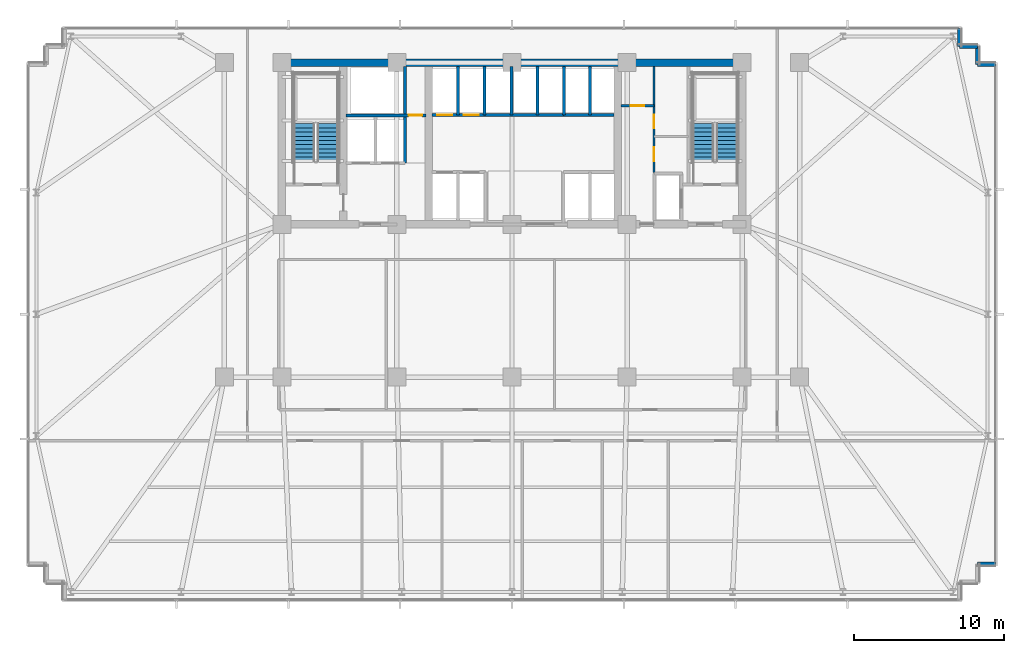
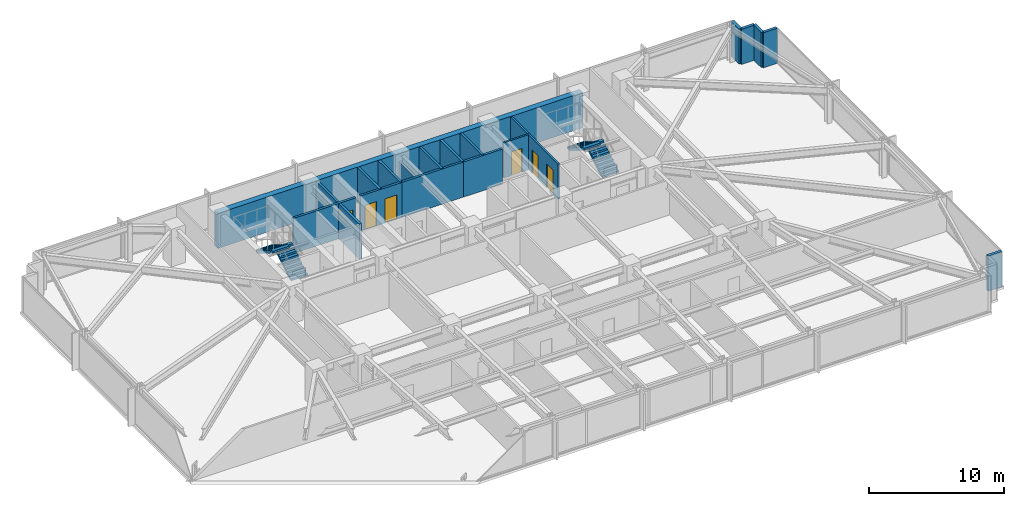
# One storey, part 26 of 33: 19 walls, 6 doors, 4 stair flights, 6 openings, 2 elements without a shape of their own.
"""IFC4 building model written with IfcOpenShell, lengths in metres."""

from ifc_helpers import new_model, si_unit, direction, frame, frame_2d, origin, place, context, subcontext, project, spatial, polyline, rectangle, outline, extrude, material, layer, layer_set, type_object, element, fill, aggregate, save


model = new_model("IFC4")

# Units and contexts
model_context = context("Model", 3, precision=1e-05, world=origin(), true_north=direction((0.0, 1.0)))
body_context = subcontext(model_context, "Body", "Model", "MODEL_VIEW")
ifc_project = project(units=[si_unit("LENGTHUNIT", "METRE"), si_unit("AREAUNIT", "SQUARE_METRE"), si_unit("VOLUMEUNIT", "CUBIC_METRE"), si_unit("PLANEANGLEUNIT", "RADIAN"), si_unit("MASSUNIT", "GRAM", prefix="KILO")], contexts=[model_context])

# Site, building, storey
site_placement = place(None, origin())
site = spatial("IfcSite", under=ifc_project, at=site_placement, CompositionType="ELEMENT")
building_placement = place(site_placement, origin())
building = spatial("IfcBuilding", under=site, at=building_placement, Name="Yelkora Congress Tower", CompositionType="ELEMENT")
storey_placement = place(building_placement, frame((0.0, 0.0, 37.199951171875)))
storey = spatial("IfcBuildingStorey", under=building, at=storey_placement, Name="L08", CompositionType="ELEMENT", Elevation=37.199951171875)

# Walls
ifc_material_1 = material(Name="Concrete C60/75", Category="concrete")
ifc_layer_1 = layer(ifc_material_1, 0.5)
ifc_layer_set_1 = layer_set([ifc_layer_1], Name="Concrete C60/75")
wall_type_1 = type_object("IfcWallType", Name="WALL-CORE-INT-500", PredefinedType="SHEAR", material=ifc_layer_set_1)
wall_1_placement = place(storey_placement, frame((22.7900390625, 46.199951171875, 0.0), z_axis=(0.0, 0.0, 1.0), x_axis=(1.0, 0.0, 0.0)))
element("IfcWall", 1, at=wall_1_placement, inside=storey, type_object=wall_type_1, Name="L08 Rear Core North Shear Wall", PredefinedType="SHEAR", context=body_context, shape_type="SweptSolid", body=[
    extrude(rectangle(XDim=31.219970703125, YDim=0.5, at=frame_2d((15.60986328125, 0.0))), origin(), (0.0, 0.0, 1.0), 3.179931640625),
])
ifc_material_2 = material(Name="Concrete C40/50", Category="concrete")
ifc_layer_2 = layer(ifc_material_2, 0.239990234375)
ifc_layer_set_2 = layer_set([ifc_layer_2], Name="Concrete C40/50")
wall_type_2 = type_object("IfcWallType", Name="WALL-EXT-LIMESTONE-240", PredefinedType="SOLIDWALL", material=ifc_layer_set_2)
for number, where, z_axis, x_axis, name in (
    (2, (68.260009765625, 48.4599609375, 0.0), (0.0, 0.0, 1.0), (0.0, -1.0, 0.0), "L08 Serrated Corner Limestone Pier 11"),
    (3, (68.260009765625, 47.260009765625, 0.0), (0.0, 0.0, 1.0), (1.0, 0.0, 0.0), "L08 Serrated Corner Limestone Pier 12"),
    (4, (69.4599609375, 47.260009765625, 0.0), (0.0, 0.0, 1.0), (0.0, -1.0, 0.0), "L08 Serrated Corner Limestone Pier 13"),
    (5, (69.4599609375, 46.06005859375, 0.0), (0.0, 0.0, 1.0), (1.0, 0.0, 0.0), "L08 Serrated Corner Limestone Pier 14"),
    (6, (70.659912109375, 12.739990234375, 0.0), (0.0, 0.0, 1.0), (-1.0, 0.0, 0.0), "L08 Serrated Corner Limestone Pier 16"),
):
    element("IfcWall", number, at=place(storey_placement, frame(where, z_axis=z_axis, x_axis=x_axis)), inside=storey, type_object=wall_type_2, Name=name, PredefinedType="SOLIDWALL", context=body_context, shape_type="SweptSolid", body=[
        extrude(rectangle(XDim=1.199951171875, YDim=0.239990234375, at=frame_2d((0.60009765625, 0.0))), origin(), (0.0, 0.0, 1.0), 3.179931640625),
    ])

# Wall, opening, door
ifc_material_3 = material(Name="Acoustic metal-stud gypsum partition", Category="gypsum")
ifc_layer_3 = layer(ifc_material_3, 0.14990234375)
ifc_layer_set_3 = layer_set([ifc_layer_3], Name="Acoustic metal-stud gypsum partition")
wall_type_3 = type_object("IfcWallType", Name="WALL-INT-150-NR", PredefinedType="PARTITIONING", material=ifc_layer_set_3)
wall_2_placement = place(storey_placement, frame((45.679931640625, 43.31005859375, 0.0), z_axis=(0.0, 0.0, 1.0), x_axis=(1.0, 0.0, 0.0)))
wall_2 = element("IfcWall", 7, at=wall_2_placement, inside=storey, type_object=wall_type_3, Name="L08 Partition Wall 28", PredefinedType="PARTITIONING", context=body_context, shape_type="SweptSolid", body=[
    extrude(rectangle(XDim=2.199951171875, YDim=0.14990234375, at=frame_2d((1.10009765625, 0.0))), origin(), (0.0, 0.0, 1.0), 3.179931640625),
])
opening_1_placement = place(wall_2_placement, frame((0.64990234375, 0.0, 0.0)))
opening_1 = element("IfcOpeningElement", 8, at=opening_1_placement, cuts=wall_2, Name="Opening DR-090N", PredefinedType="OPENING", context=body_context, shape_type="SweptSolid", body=[
    extrude(rectangle(XDim=0.89990234375, YDim=2.14990234375, at=frame_2d((0.449951171875, 1.074951171875))), frame((0.0, 0.0849609375, 0.0), z_axis=(0.0, -1.0, 0.0), x_axis=(1.0, 0.0, 0.0)), (0.0, 0.0, 1.0), 0.169921875),
])
ifc_material_4 = material(Name="Moisture-resistant laminate door leaf", Category="wood")
door_type_1 = type_object("IfcDoorType", Name="DOOR-INT-900", OperationType="NOTDEFINED", PredefinedType="DOOR", material=ifc_material_4)
door_1_placement = place(opening_1_placement, origin())
door_1 = element("IfcDoor", 9, at=door_1_placement, inside=storey, type_object=door_type_1, Name="L08 Male WC Door", OperationType="SINGLE_SWING_RIGHT", OverallHeight=2.14990234375, OverallWidth=0.89990234375, PredefinedType="DOOR", context=body_context, shape_type="SweptSolid", body=[
    extrude(rectangle(XDim=0.89990234375, YDim=2.14990234375, at=frame_2d((0.449951171875, 1.074951171875))), frame((0.0, 0.02490234375, 0.0), z_axis=(0.0, -1.0, 0.0), x_axis=(1.0, 0.0, 0.0)), (0.0, 0.0, 1.0), 0.050048828125),
])
fill(opening_1, door_1)

# Wall, openings, doors
wall_3_placement = place(storey_placement, frame((47.8798828125, 38.85009765625, 0.0), z_axis=(0.0, 0.0, 1.0), x_axis=(0.0, 1.0, 0.0)))
wall_3 = element("IfcWall", 10, at=wall_3_placement, inside=storey, type_object=wall_type_3, Name="L08 Partition Wall 30", PredefinedType="PARTITIONING", context=body_context, shape_type="SweptSolid", body=[
    extrude(rectangle(XDim=7.06982421875, YDim=0.14990234375, at=frame_2d((3.534912109375, 0.0))), origin(), (0.0, 0.0, 1.0), 3.179931640625),
])
opening_2_placement = place(wall_3_placement, frame((0.75, 0.0, 0.0)))
opening_2 = element("IfcOpeningElement", 11, at=opening_2_placement, cuts=wall_3, Name="Opening DR-095N", PredefinedType="OPENING", context=body_context, shape_type="SweptSolid", body=[
    extrude(rectangle(XDim=0.949951171875, YDim=2.14990234375, at=frame_2d((0.47509765625, 1.074951171875))), frame((0.0, 0.0849609375, 0.0), z_axis=(0.0, -1.0, 0.0), x_axis=(1.0, 0.0, 0.0)), (0.0, 0.0, 1.0), 0.169921875),
])
opening_3_placement = place(wall_3_placement, frame((2.949951171875, 0.0, 0.0)))
opening_3 = element("IfcOpeningElement", 12, at=opening_3_placement, cuts=wall_3, Name="Opening DR-090N", PredefinedType="OPENING", context=body_context, shape_type="SweptSolid", body=[
    extrude(rectangle(XDim=0.89990234375, YDim=2.14990234375, at=frame_2d((0.449951171875, 1.074951171875))), frame((0.0, 0.0849609375, 0.0), z_axis=(0.0, -1.0, 0.0), x_axis=(1.0, 0.0, 0.0)), (0.0, 0.0, 1.0), 0.169921875),
])
door_2_placement = place(opening_3_placement, origin())
door_2 = element("IfcDoor", 13, at=door_2_placement, inside=storey, type_object=door_type_1, Name="L08 Female WC Door", OperationType="SINGLE_SWING_RIGHT", OverallHeight=2.14990234375, OverallWidth=0.89990234375, PredefinedType="DOOR", context=body_context, shape_type="SweptSolid", body=[
    extrude(rectangle(XDim=0.89990234375, YDim=2.14990234375, at=frame_2d((0.449951171875, 1.074951171875))), frame((0.0, 0.02490234375, 0.0), z_axis=(0.0, -1.0, 0.0), x_axis=(1.0, 0.0, 0.0)), (0.0, 0.0, 1.0), 0.050048828125),
])
fill(opening_3, door_2)
ifc_material_5 = material(Name="Acoustic laminated timber office door", Category="wood")
door_type_2 = type_object("IfcDoorType", Name="DOOR-INT-950", OperationType="NOTDEFINED", PredefinedType="DOOR", material=ifc_material_5)
door_3_placement = place(opening_2_placement, origin())
door_3 = element("IfcDoor", 14, at=door_3_placement, inside=storey, type_object=door_type_2, Name="L08 Accessible WC Door", OperationType="SINGLE_SWING_LEFT", OverallHeight=2.14990234375, OverallWidth=0.949951171875, PredefinedType="DOOR", context=body_context, shape_type="SweptSolid", body=[
    extrude(rectangle(XDim=0.949951171875, YDim=2.14990234375, at=frame_2d((0.47509765625, 1.074951171875))), frame((0.0, 0.02490234375, 0.0), z_axis=(0.0, -1.0, 0.0), x_axis=(1.0, 0.0, 0.0)), (0.0, 0.0, 1.0), 0.050048828125),
])
fill(opening_2, door_3)

# Wall
ifc_material_6 = material(Name="Autoclaved aerated concrete blockwork", Category="masonry")
ifc_layer_4 = layer(ifc_material_6, 0.199951171875)
ifc_layer_set_4 = layer_set([ifc_layer_4], Name="Autoclaved aerated concrete blockwork")
wall_type_4 = type_object("IfcWallType", Name="WALL-INT-200-R120", PredefinedType="PARTITIONING", material=ifc_layer_set_4)
wall_4_placement = place(storey_placement, frame((31.260009765625, 39.47998046875, 0.0), z_axis=(0.0, 0.0, 1.0), x_axis=(0.0, 1.0, 0.0)))
element("IfcWall", 15, at=wall_4_placement, inside=storey, type_object=wall_type_4, Name="L08 Partition Wall 5", PredefinedType="PARTITIONING", context=body_context, shape_type="SweptSolid", body=[
    extrude(rectangle(XDim=6.43994140625, YDim=0.199951171875, at=frame_2d((3.219970703125, 0.0))), origin(), (0.0, 0.0, 1.0), 3.179931640625),
])

# Wall, opening, door
wall_5_placement = place(storey_placement, frame((27.320068359375, 42.679931640625, 0.0), z_axis=(0.0, 0.0, 1.0), x_axis=(1.0, 0.0, 0.0)))
wall_5 = element("IfcWall", 16, at=wall_5_placement, inside=storey, type_object=wall_type_4, Name="L08 Smoke Riser South Wall", PredefinedType="PARTITIONING", context=body_context, shape_type="SweptSolid", body=[
    extrude(rectangle(XDim=5.329833984375, YDim=0.199951171875, at=frame_2d((2.6650390625, 0.0))), origin(), (0.0, 0.0, 1.0), 3.179931640625),
])
opening_4_placement = place(wall_5_placement, frame((4.179931640625, 0.0, 0.0)))
opening_4 = element("IfcOpeningElement", 17, at=opening_4_placement, cuts=wall_5, Name="Opening DR-090F6", PredefinedType="OPENING", context=body_context, shape_type="SweptSolid", body=[
    extrude(rectangle(XDim=0.89990234375, YDim=2.14990234375, at=frame_2d((0.449951171875, 1.074951171875))), frame((0.0, 0.10986328125, 0.0), z_axis=(0.0, -1.0, 0.0), x_axis=(1.0, 0.0, 0.0)), (0.0, 0.0, 1.0), 0.219970703125),
])
ifc_material_7 = material(Name="Painted steel riser fire door leaf", Category="steel")
door_type_3 = type_object("IfcDoorType", Name="DOOR-FD60-900", OperationType="NOTDEFINED", PredefinedType="DOOR", material=ifc_material_7)
door_4_placement = place(opening_4_placement, origin())
door_4 = element("IfcDoor", 18, at=door_4_placement, inside=storey, type_object=door_type_3, Name="L08 Riser Access Door", OperationType="SINGLE_SWING_LEFT", OverallHeight=2.14990234375, OverallWidth=0.89990234375, PredefinedType="DOOR", context=body_context, shape_type="SweptSolid", body=[
    extrude(rectangle(XDim=0.89990234375, YDim=2.14990234375, at=frame_2d((0.449951171875, 1.074951171875))), frame((0.0, 0.02490234375, 0.0), z_axis=(0.0, -1.0, 0.0), x_axis=(1.0, 0.0, 0.0)), (0.0, 0.0, 1.0), 0.050048828125),
])
fill(opening_4, door_4)

# Walls
wall_6_placement = place(storey_placement, frame((36.60009765625, 42.699951171875, 0.0), z_axis=(0.0, 0.0, 1.0), x_axis=(1.0, 0.0, 0.0)))
element("IfcWall", 19, at=wall_6_placement, inside=storey, type_object=wall_type_4, Name="L08 Partition Wall 8", PredefinedType="PARTITIONING", context=body_context, shape_type="SweptSolid", body=[
    extrude(rectangle(XDim=5.25, YDim=0.199951171875, at=frame_2d((2.625, 0.0))), origin(), (0.0, 0.0, 1.0), 3.179931640625),
])
wall_7_placement = place(storey_placement, frame((38.35009765625, 42.699951171875, 0.0), z_axis=(0.0, 0.0, 1.0), x_axis=(0.0, 1.0, 0.0)))
element("IfcWall", 20, at=wall_7_placement, inside=storey, type_object=wall_type_4, Name="L08 Partition Wall 9", PredefinedType="PARTITIONING", context=body_context, shape_type="SweptSolid", body=[
    extrude(rectangle(XDim=3.219970703125, YDim=0.199951171875, at=frame_2d((1.60986328125, 0.0))), origin(), (0.0, 0.0, 1.0), 2.47509765625),
])
wall_8_placement = place(storey_placement, frame((40.10009765625, 42.699951171875, 0.0), z_axis=(0.0, 0.0, 1.0), x_axis=(0.0, 1.0, 0.0)))
element("IfcWall", 21, at=wall_8_placement, inside=storey, type_object=wall_type_4, Name="L08 Partition Wall 10", PredefinedType="PARTITIONING", context=body_context, shape_type="SweptSolid", body=[
    extrude(rectangle(XDim=3.219970703125, YDim=0.199951171875, at=frame_2d((1.60986328125, 0.0))), origin(), (0.0, 0.0, 1.0), 3.179931640625),
])

# Wall, openings, doors
wall_9_placement = place(storey_placement, frame((33.050048828125, 42.699951171875, 0.0), z_axis=(0.0, 0.0, 1.0), x_axis=(1.0, 0.0, 0.0)))
wall_9 = element("IfcWall", 22, at=wall_9_placement, inside=storey, type_object=wall_type_4, Name="L08 Partition Wall 12", PredefinedType="PARTITIONING", context=body_context, shape_type="SweptSolid", body=[
    extrude(rectangle(XDim=3.570068359375, YDim=0.199951171875, at=frame_2d((1.78515625, 0.0))), origin(), (0.0, 0.0, 1.0), 3.179931640625),
])
opening_5_placement = place(wall_9_placement, frame((0.375, 0.0, 0.0)))
opening_5 = element("IfcOpeningElement", 23, at=opening_5_placement, cuts=wall_9, Name="Opening LD-PS10", PredefinedType="OPENING", context=body_context, shape_type="SweptSolid", body=[
    extrude(rectangle(XDim=1.0, YDim=2.199951171875, at=frame_2d((0.5, 1.10009765625))), frame((0.0, 0.10986328125, 0.0), z_axis=(0.0, -1.0, 0.0), x_axis=(1.0, 0.0, 0.0)), (0.0, 0.0, 1.0), 0.219970703125),
])
opening_6_placement = place(wall_9_placement, frame((2.125, 0.0, 0.0)))
opening_6 = element("IfcOpeningElement", 24, at=opening_6_placement, cuts=wall_9, Name="Opening LD-PS10", PredefinedType="OPENING", context=body_context, shape_type="SweptSolid", body=[
    extrude(rectangle(XDim=1.0, YDim=2.199951171875, at=frame_2d((0.5, 1.10009765625))), frame((0.0, 0.10986328125, 0.0), z_axis=(0.0, -1.0, 0.0), x_axis=(1.0, 0.0, 0.0)), (0.0, 0.0, 1.0), 0.219970703125),
])
ifc_material_8 = material(Name="Champagne stainless steel landing door", Category="steel")
door_type_4 = type_object("IfcDoorType", Name="DOOR-LIFT-PAS-1000", OperationType="DOUBLE_DOOR_SLIDING", PredefinedType="DOOR", material=ifc_material_8)
door_5_placement = place(opening_5_placement, origin())
door_5 = element("IfcDoor", 25, at=door_5_placement, inside=storey, type_object=door_type_4, Name="Lift Landing Door LF-P3 L08", OperationType="DOUBLE_DOOR_SLIDING", OverallHeight=2.199951171875, OverallWidth=1.0, PredefinedType="DOOR", context=body_context, shape_type="SweptSolid", body=[
    extrude(rectangle(XDim=1.0, YDim=2.199951171875, at=frame_2d((0.5, 1.10009765625))), frame((0.0, 0.02490234375, 0.0), z_axis=(0.0, -1.0, 0.0), x_axis=(1.0, 0.0, 0.0)), (0.0, 0.0, 1.0), 0.050048828125),
])
fill(opening_5, door_5)
door_6_placement = place(opening_6_placement, origin())
door_6 = element("IfcDoor", 26, at=door_6_placement, inside=storey, type_object=door_type_4, Name="Lift Landing Door LF-P4 L08", OperationType="DOUBLE_DOOR_SLIDING", OverallHeight=2.199951171875, OverallWidth=1.0, PredefinedType="DOOR", context=body_context, shape_type="SweptSolid", body=[
    extrude(rectangle(XDim=1.0, YDim=2.199951171875, at=frame_2d((0.5, 1.10009765625))), frame((0.0, 0.02490234375, 0.0), z_axis=(0.0, -1.0, 0.0), x_axis=(1.0, 0.0, 0.0)), (0.0, 0.0, 1.0), 0.050048828125),
])
fill(opening_6, door_6)

# Walls
for number, where, z_axis, x_axis, name in (
    (27, (34.800048828125, 42.699951171875, 0.0), (0.0, 0.0, 1.0), (0.0, 1.0, 0.0), "L08 Partition Wall 14"),
    (28, (36.580078125, 42.699951171875, 0.0), (0.0, 0.0, 1.0), (0.0, 1.0, 0.0), "L08 Partition Wall 16"),
):
    element("IfcWall", number, at=place(storey_placement, frame(where, z_axis=z_axis, x_axis=x_axis)), inside=storey, type_object=wall_type_4, Name=name, PredefinedType="PARTITIONING", context=body_context, shape_type="SweptSolid", body=[
        extrude(rectangle(XDim=3.219970703125, YDim=0.199951171875, at=frame_2d((1.60986328125, 0.0))), origin(), (0.0, 0.0, 1.0), 3.179931640625),
    ])
wall_10_placement = place(storey_placement, frame((41.85009765625, 42.699951171875, 0.0), z_axis=(0.0, 0.0, 1.0), x_axis=(1.0, 0.0, 0.0)))
element("IfcWall", 29, at=wall_10_placement, inside=storey, type_object=wall_type_4, Name="L08 Partition Wall 18", PredefinedType="PARTITIONING", context=body_context, shape_type="SweptSolid", body=[
    extrude(rectangle(XDim=3.369873046875, YDim=0.199951171875, at=frame_2d((1.68505859375, 0.0))), origin(), (0.0, 0.0, 1.0), 3.179931640625),
])
for number, where, z_axis, x_axis, name in (
    (30, (43.60009765625, 42.699951171875, 0.0), (0.0, 0.0, 1.0), (0.0, 1.0, 0.0), "L08 Partition Wall 20"),
    (31, (41.8798828125, 42.699951171875, 0.0), (0.0, 0.0, 1.0), (0.0, 1.0, 0.0), "L08 Partition Wall 22"),
):
    element("IfcWall", number, at=place(storey_placement, frame(where, z_axis=z_axis, x_axis=x_axis)), inside=storey, type_object=wall_type_4, Name=name, PredefinedType="PARTITIONING", context=body_context, shape_type="SweptSolid", body=[
        extrude(rectangle(XDim=3.219970703125, YDim=0.199951171875, at=frame_2d((1.60986328125, 0.0))), origin(), (0.0, 0.0, 1.0), 3.179931640625),
    ])

# Stair, stair flights
stair_type = type_object("IfcStairType", Name="STAIR-HT-1420-R20-170", PredefinedType="HALF_TURN_STAIR", material=ifc_material_2)
stair_1_placement = place(storey_placement, origin())
stair_1 = element("IfcStair", 32, at=stair_1_placement, inside=storey, type_object=stair_type, Name="West Core Protected Exit Stair ST-01 (L08)", PredefinedType="HALF_TURN_STAIR")
stair_flight_type = type_object("IfcStairFlightType", Name="FLIGHT-1420-N10-R170-G280", PredefinedType="STRAIGHT", material=ifc_material_2)
stair_flight_1_placement = place(storey_placement, frame((26.110107421875, 39.60009765625, 0.0), z_axis=(0.0, 0.0, 1.0), x_axis=(0.0, 1.0, 0.0)))
stair_flight_1 = element("IfcStairFlight", 33, at=stair_flight_1_placement, type_object=stair_flight_type, Name="ST-01 L08 Flight 1", NumberOfRisers=10, NumberOfTreads=9, PredefinedType="STRAIGHT", RiserHeight=0.17, TreadLength=0.28, context=body_context, shape_type="SweptSolid", body=[
    extrude(outline(polyline([(0.0, 0.0), (0.0, 0.169921875), (0.280029296875, 0.169921875), (0.280029296875, 0.340087890625), (0.56005859375, 0.340087890625), (0.56005859375, 0.510009765625), (0.840087890625, 0.510009765625), (0.840087890625, 0.679931640625), (1.1201171875, 0.679931640625), (1.1201171875, 0.85009765625), (1.39990234375, 0.85009765625), (1.39990234375, 1.02001953125), (1.679931640625, 1.02001953125), (1.679931640625, 1.18994140625), (1.9599609375, 1.18994140625), (1.9599609375, 1.360107421875), (2.239990234375, 1.360107421875), (2.239990234375, 1.530029296875), (2.52001953125, 1.530029296875), (2.52001953125, 1.699951171875), (2.52001953125, 1.343017578125), (0.30810546875, 0.0), (0.0, 0.0)])), frame((0.0, 0.7099609375, 0.0), z_axis=(0.0, -1.0, 0.0), x_axis=(1.0, 0.0, 0.0)), (0.0, 0.0, 1.0), 1.419921875),
])
stair_flight_2_placement = place(storey_placement, frame((24.530029296875, 42.1201171875, 1.699951171875), z_axis=(0.0, 0.0, 1.0), x_axis=(0.0, -1.0, 0.0)))
stair_flight_2 = element("IfcStairFlight", 34, at=stair_flight_2_placement, type_object=stair_flight_type, Name="ST-01 L08 Flight 2", NumberOfRisers=10, NumberOfTreads=9, PredefinedType="STRAIGHT", RiserHeight=0.17, TreadLength=0.28, context=body_context, shape_type="SweptSolid", body=[
    extrude(outline(polyline([(0.0, 0.0), (0.0, 0.169921875), (0.280029296875, 0.169921875), (0.280029296875, 0.340087890625), (0.56005859375, 0.340087890625), (0.56005859375, 0.510009765625), (0.840087890625, 0.510009765625), (0.840087890625, 0.679931640625), (1.1201171875, 0.679931640625), (1.1201171875, 0.85009765625), (1.39990234375, 0.85009765625), (1.39990234375, 1.02001953125), (1.679931640625, 1.02001953125), (1.679931640625, 1.18994140625), (1.9599609375, 1.18994140625), (1.9599609375, 1.360107421875), (2.239990234375, 1.360107421875), (2.239990234375, 1.530029296875), (2.52001953125, 1.530029296875), (2.52001953125, 1.699951171875), (2.52001953125, 1.343017578125), (0.30810546875, 0.0), (0.0, 0.0)])), frame((0.0, 0.7099609375, 0.0), z_axis=(0.0, -1.0, 0.0), x_axis=(1.0, 0.0, 0.0)), (0.0, 0.0, 1.0), 1.419921875),
])
aggregate(stair_1, [stair_flight_1, stair_flight_2])

stair_2_placement = place(storey_placement, origin())
stair_2 = element("IfcStair", 35, at=stair_2_placement, inside=storey, type_object=stair_type, Name="East Core Protected Exit Stair ST-02 (L08)", PredefinedType="HALF_TURN_STAIR")
stair_flight_3_placement = place(storey_placement, frame((52.75, 39.60009765625, 0.0), z_axis=(0.0, 0.0, 1.0), x_axis=(0.0, 1.0, 0.0)))
stair_flight_3 = element("IfcStairFlight", 36, at=stair_flight_3_placement, type_object=stair_flight_type, Name="ST-02 L08 Flight 1", NumberOfRisers=10, NumberOfTreads=9, PredefinedType="STRAIGHT", RiserHeight=0.17, TreadLength=0.28, context=body_context, shape_type="SweptSolid", body=[
    extrude(outline(polyline([(0.0, 0.0), (0.0, 0.169921875), (0.280029296875, 0.169921875), (0.280029296875, 0.340087890625), (0.56005859375, 0.340087890625), (0.56005859375, 0.510009765625), (0.840087890625, 0.510009765625), (0.840087890625, 0.679931640625), (1.1201171875, 0.679931640625), (1.1201171875, 0.85009765625), (1.39990234375, 0.85009765625), (1.39990234375, 1.02001953125), (1.679931640625, 1.02001953125), (1.679931640625, 1.18994140625), (1.9599609375, 1.18994140625), (1.9599609375, 1.360107421875), (2.239990234375, 1.360107421875), (2.239990234375, 1.530029296875), (2.52001953125, 1.530029296875), (2.52001953125, 1.699951171875), (2.52001953125, 1.343017578125), (0.30810546875, 0.0), (0.0, 0.0)])), frame((0.0, 0.7099609375, 0.0), z_axis=(0.0, -1.0, 0.0), x_axis=(1.0, 0.0, 0.0)), (0.0, 0.0, 1.0), 1.419921875),
])
stair_flight_4_placement = place(storey_placement, frame((51.169921875, 42.1201171875, 1.699951171875), z_axis=(0.0, 0.0, 1.0), x_axis=(0.0, -1.0, 0.0)))
stair_flight_4 = element("IfcStairFlight", 37, at=stair_flight_4_placement, type_object=stair_flight_type, Name="ST-02 L08 Flight 2", NumberOfRisers=10, NumberOfTreads=9, PredefinedType="STRAIGHT", RiserHeight=0.17, TreadLength=0.28, context=body_context, shape_type="SweptSolid", body=[
    extrude(outline(polyline([(0.0, 0.0), (0.0, 0.169921875), (0.280029296875, 0.169921875), (0.280029296875, 0.340087890625), (0.56005859375, 0.340087890625), (0.56005859375, 0.510009765625), (0.840087890625, 0.510009765625), (0.840087890625, 0.679931640625), (1.1201171875, 0.679931640625), (1.1201171875, 0.85009765625), (1.39990234375, 0.85009765625), (1.39990234375, 1.02001953125), (1.679931640625, 1.02001953125), (1.679931640625, 1.18994140625), (1.9599609375, 1.18994140625), (1.9599609375, 1.360107421875), (2.239990234375, 1.360107421875), (2.239990234375, 1.530029296875), (2.52001953125, 1.530029296875), (2.52001953125, 1.699951171875), (2.52001953125, 1.343017578125), (0.30810546875, 0.0), (0.0, 0.0)])), frame((0.0, 0.7099609375, 0.0), z_axis=(0.0, -1.0, 0.0), x_axis=(1.0, 0.0, 0.0)), (0.0, 0.0, 1.0), 1.419921875),
])
aggregate(stair_2, [stair_flight_3, stair_flight_4])

save(model, "model.ifc")
